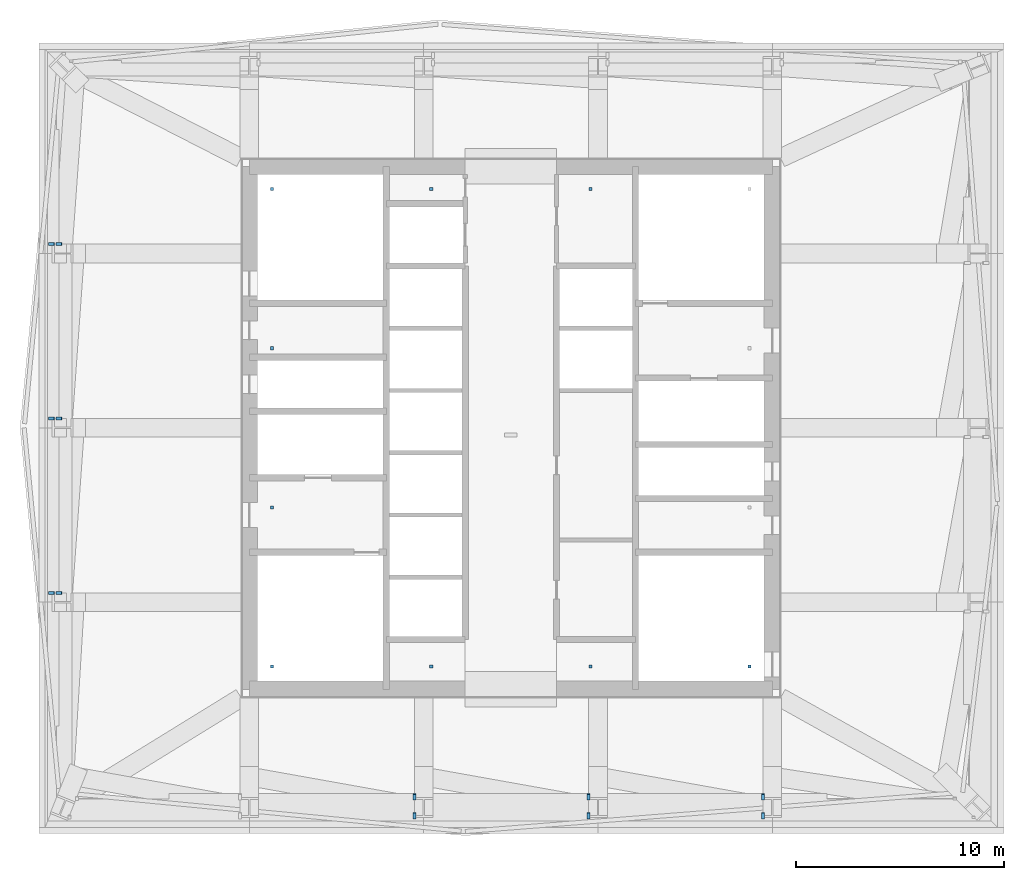
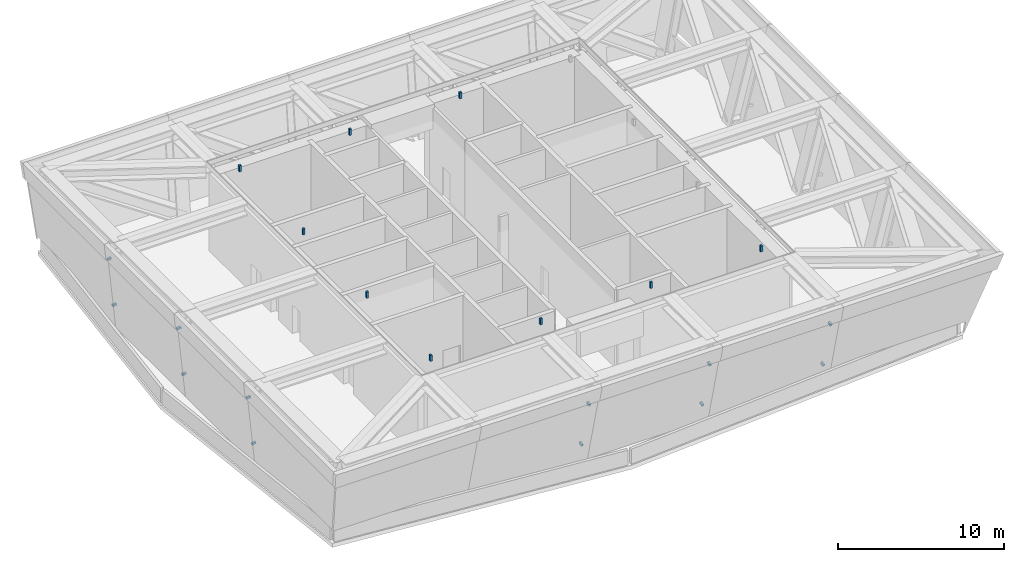
# One storey, part 4 of 7: 21 discrete accessories.
"""IFC4 building model written with IfcOpenShell, lengths in metres."""

from ifc_helpers import new_model, si_unit, direction, frame, origin, origin_2d, place, context, subcontext, project, spatial, rectangle, extrude, material, type_object, element, save


model = new_model("IFC4")

# Units and contexts
model_context = context("Model", 3, precision=1e-05, world=origin(), true_north=direction((0.0, 1.0)))
body_context = subcontext(model_context, "Body", "Model", "MODEL_VIEW")
ifc_project = project(units=[si_unit("LENGTHUNIT", "METRE"), si_unit("AREAUNIT", "SQUARE_METRE"), si_unit("VOLUMEUNIT", "CUBIC_METRE"), si_unit("PLANEANGLEUNIT", "RADIAN"), si_unit("MASSUNIT", "GRAM", prefix="KILO")], contexts=[model_context])

# Site, building, storey
site_placement = place(None, origin())
site = spatial("IfcSite", under=ifc_project, at=site_placement, CompositionType="ELEMENT")
building_placement = place(site_placement, origin())
building = spatial("IfcBuilding", under=site, at=building_placement, Name="Rekha Terrace Tower", CompositionType="ELEMENT")
storey_placement = place(building_placement, frame((0.0, 0.0, 296.75)))
storey = spatial("IfcBuildingStorey", under=building, at=storey_placement, Name="L75", CompositionType="ELEMENT", Elevation=296.75)

# Discrete accessories
ifc_material_1 = material(Name="Galvanised steel bracket", Category="steel")
discrete_accessory_type_1 = type_object("IfcDiscreteAccessoryType", Name="CB2 crown screen bracket 150 x 150", PredefinedType="BRACKET", material=ifc_material_1)
for number, where, z_axis, x_axis, name in (
    (1, (16.163818359375, 25.64990234375, 1.39990234375), (-0.994767911049, 0.0, -0.102160673197), (0.0, -1.0, 0.0), "Crown screen bracket 3D foot"),
    (2, (15.804931640625, 25.64990234375, 4.89990234375), (-0.994767911049, 0.0, -0.102160673197), (0.0, -1.0, 0.0), "Crown screen bracket 3D head"),
):
    element("IfcDiscreteAccessory", number, at=place(storey_placement, frame(where, z_axis=z_axis, x_axis=x_axis)), inside=storey, type_object=discrete_accessory_type_1, Name=name, PredefinedType="BRACKET", context=body_context, shape_type="SweptSolid", body=[
        extrude(rectangle(XDim=0.14990234375, YDim=0.14990234375, at=origin_2d()), origin(), (0.0, 0.0, 1.0), 0.281982421875),
    ])
for number, where, z_axis, x_axis, name in (
    (3, (33.14990234375, 15.95361328125, 1.328369140625), (0.0, -0.968546496839, -0.248832641471), (1.0, 0.0, 0.0), "Crown screen bracket 5C foot"),
    (4, (33.14990234375, 15.05615234375, 4.828369140625), (0.0, -0.968546496839, -0.248832641471), (1.0, 0.0, 0.0), "Crown screen bracket 5C head"),
    (5, (41.550048828125, 15.95361328125, 1.328369140625), (0.0, -0.968546496839, -0.248832641471), (1.0, 0.0, 0.0), "Crown screen bracket 6C foot"),
    (6, (41.550048828125, 15.05615234375, 4.828369140625), (0.0, -0.968546496839, -0.248832641471), (1.0, 0.0, 0.0), "Crown screen bracket 6C head"),
    (7, (49.949951171875, 15.95361328125, 1.328369140625), (0.0, -0.968546496839, -0.248832641471), (1.0, 0.0, 0.0), "Crown screen bracket 7C foot"),
    (8, (49.949951171875, 15.05615234375, 4.828369140625), (0.0, -0.968546496839, -0.248832641471), (1.0, 0.0, 0.0), "Crown screen bracket 7C head"),
):
    element("IfcDiscreteAccessory", number, at=place(storey_placement, frame(where, z_axis=z_axis, x_axis=x_axis)), inside=storey, type_object=discrete_accessory_type_1, Name=name, PredefinedType="BRACKET", context=body_context, shape_type="SweptSolid", body=[
        extrude(rectangle(XDim=0.14990234375, YDim=0.14990234375, at=origin_2d()), origin(), (0.0, 0.0, 1.0), 0.282470703125),
    ])
for number, where, z_axis, x_axis, name in (
    (9, (16.163818359375, 42.449951171875, 1.39990234375), (-0.994767911049, 0.0, -0.102160673197), (0.0, -1.0, 0.0), "Crown screen bracket 3F foot"),
    (10, (15.804931640625, 42.449951171875, 4.89990234375), (-0.994767911049, 0.0, -0.102160673197), (0.0, -1.0, 0.0), "Crown screen bracket 3F head"),
    (11, (16.163818359375, 34.050048828125, 1.39990234375), (-0.994767911049, 0.0, -0.102160673197), (0.0, -1.0, 0.0), "Crown screen bracket 3E foot"),
    (12, (15.804931640625, 34.050048828125, 4.89990234375), (-0.994767911049, 0.0, -0.102160673197), (0.0, -1.0, 0.0), "Crown screen bracket 3E head"),
):
    element("IfcDiscreteAccessory", number, at=place(storey_placement, frame(where, z_axis=z_axis, x_axis=x_axis)), inside=storey, type_object=discrete_accessory_type_1, Name=name, PredefinedType="BRACKET", context=body_context, shape_type="SweptSolid", body=[
        extrude(rectangle(XDim=0.14990234375, YDim=0.14990234375, at=origin_2d()), origin(), (0.0, 0.0, 1.0), 0.281982421875),
    ])
ifc_material_2 = material(Name="Stainless steel anchor post", Category="steel")
discrete_accessory_type_2 = type_object("IfcDiscreteAccessoryType", Name="FA1 fall-arrest anchor post", PredefinedType="ANCHORPLATE", material=ifc_material_2)
for number, where, z_axis, x_axis, name in (
    (13, (26.300048828125, 22.10009765625, 6.0), (0.0, 0.0, 1.0), (1.0, 0.0, 0.0), "Crown roof fall-arrest anchor 1"),
    (14, (33.967041015625, 22.10009765625, 6.0), (0.0, 0.0, 1.0), (1.0, 0.0, 0.0), "Crown roof fall-arrest anchor 2"),
    (15, (41.633056640625, 22.10009765625, 6.0), (0.0, 0.0, 1.0), (1.0, 0.0, 0.0), "Crown roof fall-arrest anchor 3"),
    (16, (49.300048828125, 22.10009765625, 6.0), (0.0, 0.0, 1.0), (1.0, 0.0, 0.0), "Crown roof fall-arrest anchor 4"),
    (17, (41.633056640625, 45.10009765625, 6.0), (0.0, 0.0, 1.0), (1.0, 0.0, 0.0), "Crown roof fall-arrest anchor 8"),
    (18, (33.967041015625, 45.10009765625, 6.0), (0.0, 0.0, 1.0), (1.0, 0.0, 0.0), "Crown roof fall-arrest anchor 9"),
    (19, (26.300048828125, 45.10009765625, 6.0), (0.0, 0.0, 1.0), (1.0, 0.0, 0.0), "Crown roof fall-arrest anchor 10"),
    (20, (26.300048828125, 37.43310546875, 6.0), (0.0, 0.0, 1.0), (1.0, 0.0, 0.0), "Crown roof fall-arrest anchor 11"),
    (21, (26.300048828125, 29.76708984375, 6.0), (0.0, 0.0, 1.0), (1.0, 0.0, 0.0), "Crown roof fall-arrest anchor 12"),
):
    element("IfcDiscreteAccessory", number, at=place(storey_placement, frame(where, z_axis=z_axis, x_axis=x_axis)), inside=storey, type_object=discrete_accessory_type_2, Name=name, PredefinedType="ANCHORPLATE", context=body_context, shape_type="SweptSolid", body=[
        extrude(rectangle(XDim=0.14990234375, YDim=0.14990234375, at=origin_2d()), origin(), (0.0, 0.0, 1.0), 0.449951171875),
    ])

save(model, "model.ifc")
